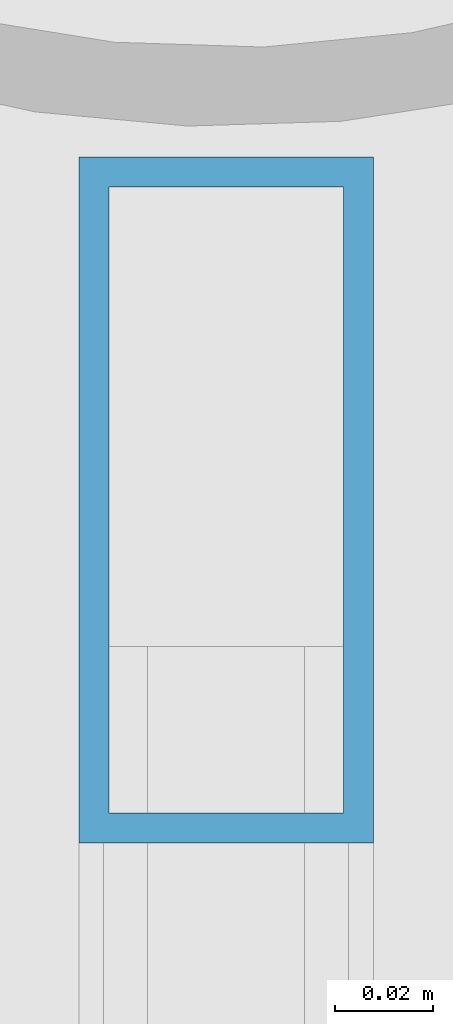
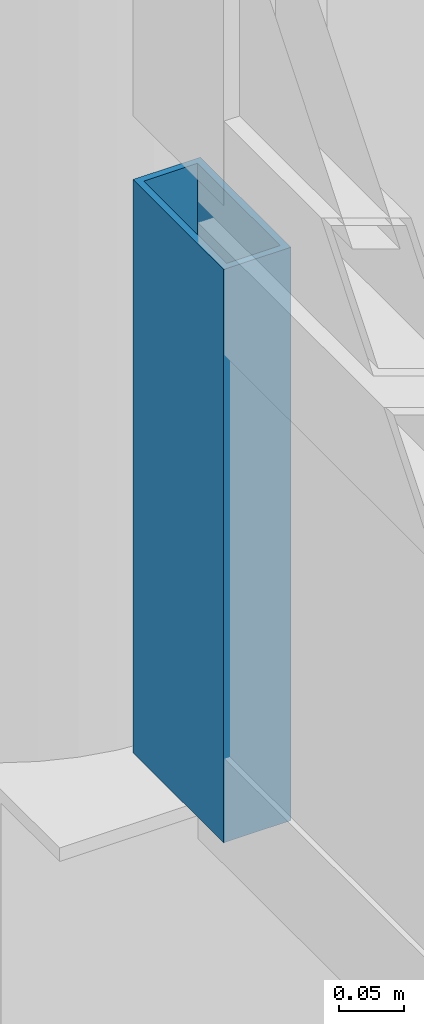
# One storey, part 137 of 167: 1 member, 1 element without a shape of its own.
"""IFC4 building model written with IfcOpenShell, lengths in metres."""

from ifc_helpers import new_model, si_unit, direction, frame, origin, origin_2d, place, context, subcontext, project, spatial, hollow_rectangle, extrude, material, material_profile, profile_set, type_object, element, aggregate, save


model = new_model("IFC4")

# Units and contexts
model_context = context("Model", 3, precision=1e-05, world=origin(), true_north=direction((0.0, 1.0)))
body_context = subcontext(model_context, "Body", "Model", "MODEL_VIEW")
ifc_project = project(units=[si_unit("LENGTHUNIT", "METRE"), si_unit("AREAUNIT", "SQUARE_METRE"), si_unit("VOLUMEUNIT", "CUBIC_METRE"), si_unit("PLANEANGLEUNIT", "RADIAN"), si_unit("MASSUNIT", "GRAM", prefix="KILO")], contexts=[model_context])

# Site, building, storey
site_placement = place(None, origin())
site = spatial("IfcSite", under=ifc_project, at=site_placement, CompositionType="ELEMENT")
building_placement = place(site_placement, origin())
building = spatial("IfcBuilding", under=site, at=building_placement, Name="Catenary Quay Ferry Terminal", CompositionType="ELEMENT")
storey_placement = place(building_placement, frame((0.0, 0.0, 6.0)))
storey = spatial("IfcBuildingStorey", under=building, at=storey_placement, Name="L01", CompositionType="ELEMENT", Elevation=6.0)

# Curtain wall, member
ifc_material_1 = material(Name="Aluminium and glass", Category="aluminium")
curtain_wall_type = type_object("IfcCurtainWallType", Name="CWQ", PredefinedType="NOTDEFINED", material=ifc_material_1)
curtain_wall_placement = place(storey_placement, origin())
curtain_wall = element("IfcCurtainWall", 1, at=curtain_wall_placement, inside=storey, type_object=curtain_wall_type, Name="Gable arrivals hall base curtain wall CW173", PredefinedType="NOTDEFINED")
ifc_material_2 = material(Name="Aluminium", Category="aluminium")
ifc_material_profile = material_profile(ifc_material_2, hollow_rectangle(XDim=0.06005859375, YDim=0.139892578125, WallThickness=0.006103515625, at=origin_2d()), Name="MU2")
ifc_profile_set = profile_set([ifc_material_profile], Name="Aluminium")
member_type = type_object("IfcMemberType", Name="MU2", PredefinedType="MULLION", material=ifc_profile_set)
member_placement = place(storey_placement, frame((25.199951171875, 100.469970703125, 0.0), z_axis=(0.0, 0.0, 1.0), x_axis=(-1.0, 0.0, 0.0)))
member = element("IfcMember", 2, at=member_placement, type_object=member_type, Name="CW173 mullion 17", PredefinedType="MULLION", context=body_context, shape_type="SweptSolid", body=[
    extrude(hollow_rectangle(XDim=0.06005859375, YDim=0.139892578125, WallThickness=0.006103515625, at=origin_2d()), origin(), (0.0, 0.0, 1.0), 0.5400390625),
])
aggregate(curtain_wall, [member])

save(model, "model.ifc")
